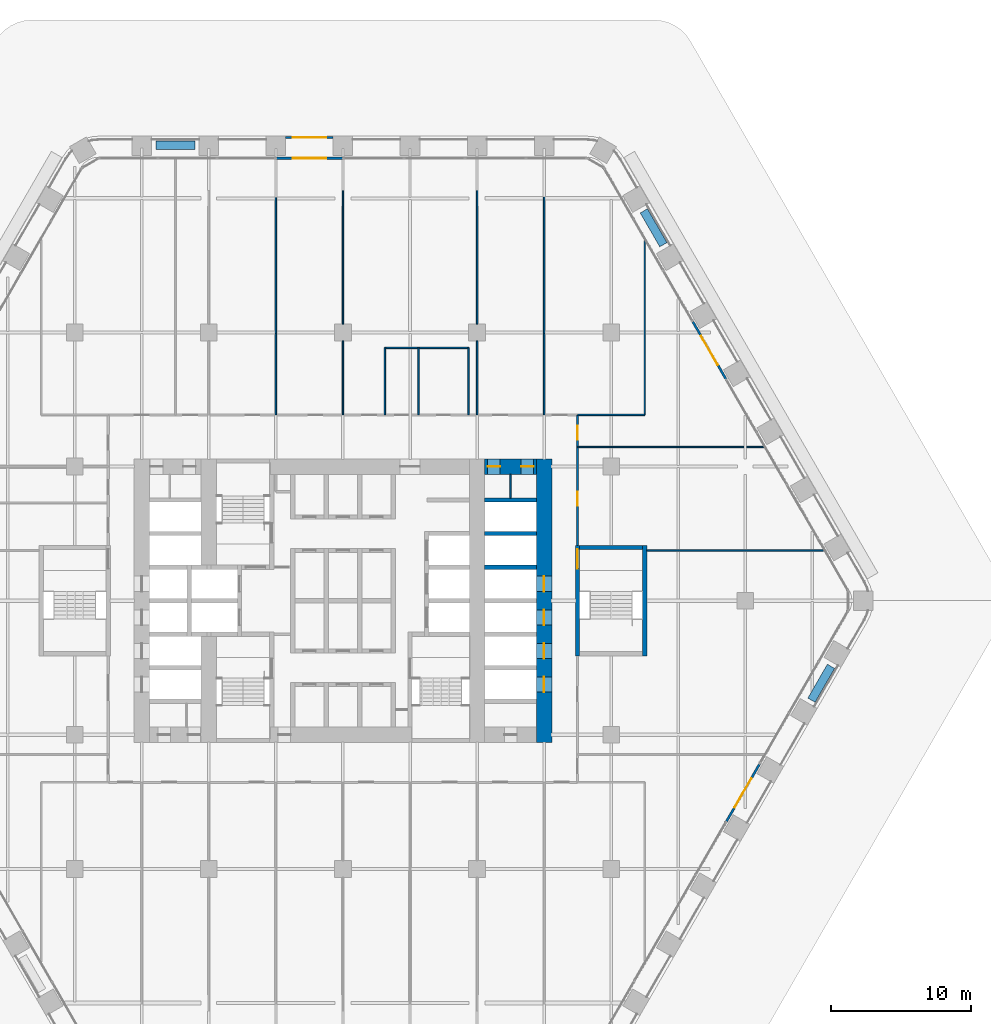
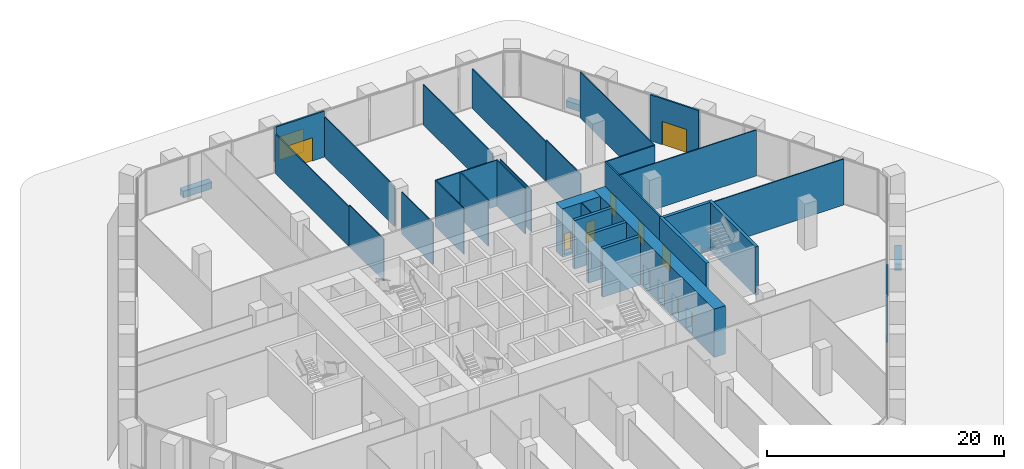
# One storey, part 23 of 29: 33 walls, 13 doors, 13 openings.
"""IFC4 building model written with IfcOpenShell, lengths in metres."""

from ifc_helpers import new_model, si_unit, direction, frame, frame_2d, origin, place, context, subcontext, project, spatial, rectangle, extrude, material, layer, layer_set, type_object, element, fill, save


model = new_model("IFC4")

# Units and contexts
model_context = context("Model", 3, precision=1e-05, world=origin(), true_north=direction((0.0, 1.0)))
body_context = subcontext(model_context, "Body", "Model", "MODEL_VIEW")
ifc_project = project(units=[si_unit("LENGTHUNIT", "METRE"), si_unit("AREAUNIT", "SQUARE_METRE"), si_unit("VOLUMEUNIT", "CUBIC_METRE"), si_unit("PLANEANGLEUNIT", "RADIAN"), si_unit("MASSUNIT", "GRAM", prefix="KILO")], contexts=[model_context])

# Site, building, storey
site_placement = place(None, origin())
site = spatial("IfcSite", under=ifc_project, at=site_placement, CompositionType="ELEMENT")
building_placement = place(site_placement, origin())
building = spatial("IfcBuilding", under=site, at=building_placement, Name="Kolab Exchange Tower", CompositionType="ELEMENT")
storey_placement = place(building_placement, frame((0.0, 0.0, 17.39990234375)))
storey = spatial("IfcBuildingStorey", under=building, at=storey_placement, Name="L03", CompositionType="ELEMENT", Elevation=17.39990234375)

# Wall, openings, doors
ifc_material_1 = material(Name="Concrete C80/95", Category="concrete")
ifc_layer_1 = layer(ifc_material_1, 1.10009765625)
ifc_layer_set_1 = layer_set([ifc_layer_1], Name="Concrete C80/95")
wall_type_1 = type_object("IfcWallType", Name="CORE WALL 1100 C80/95", PredefinedType="SHEAR", material=ifc_layer_set_1)
wall_1_placement = place(storey_placement, frame((10.14990234375, 9.60009765625, -0.25), z_axis=(0.0, 0.0, 1.0), x_axis=(1.0, 0.0, 0.0)))
wall_1 = element("IfcWall", 1, at=wall_1_placement, inside=storey, type_object=wall_type_1, Name="wall/L03/core/053", PredefinedType="SHEAR", context=body_context, shape_type="SweptSolid", body=[
    extrude(rectangle(XDim=3.7001953125, YDim=1.10009765625, at=frame_2d((1.85009765625, 0.0))), origin(), (0.0, 0.0, 1.0), 5.0),
])
opening_1_placement = place(wall_1_placement, frame((0.199951171875, 0.0, 0.25)))
opening_1 = element("IfcOpeningElement", 2, at=opening_1_placement, cuts=wall_1, Name="Opening D6-082", PredefinedType="OPENING", context=body_context, shape_type="SweptSolid", body=[
    extrude(rectangle(XDim=0.89990234375, YDim=2.10009765625, at=frame_2d((0.449951171875, 1.050048828125))), frame((0.0, 0.56005859375, 0.0), z_axis=(0.0, -1.0, 0.0), x_axis=(1.0, 0.0, 0.0)), (0.0, 0.0, 1.0), 1.1201171875),
])
opening_2_placement = place(wall_1_placement, frame((2.60009765625, 0.0, 0.25)))
opening_2 = element("IfcOpeningElement", 3, at=opening_2_placement, cuts=wall_1, Name="Opening D6-083", PredefinedType="OPENING", context=body_context, shape_type="SweptSolid", body=[
    extrude(rectangle(XDim=0.89990234375, YDim=2.10009765625, at=frame_2d((0.449951171875, 1.050048828125))), frame((0.0, 0.56005859375, 0.0), z_axis=(0.0, -1.0, 0.0), x_axis=(1.0, 0.0, 0.0)), (0.0, 0.0, 1.0), 1.1201171875),
])
ifc_material_2 = material(Name="Steel S235", Category="steel")
door_type_1 = type_object("IfcDoorType", Name="CORE DOOR 900 EI 120", OperationType="SINGLE_SWING_LEFT", PredefinedType="DOOR", material=ifc_material_2)
door_1_placement = place(opening_1_placement, frame((0.89990234375, 0.0, 0.0), z_axis=(0.0, 0.0, 1.0), x_axis=(-1.0, 0.0, 0.0)))
door_1 = element("IfcDoor", 4, at=door_1_placement, inside=storey, type_object=door_type_1, Name="Service room door", OperationType="SINGLE_SWING_RIGHT", OverallHeight=2.10009765625, OverallWidth=0.89990234375, PredefinedType="DOOR", context=body_context, shape_type="SweptSolid", body=[
    extrude(rectangle(XDim=0.89990234375, YDim=2.10009765625, at=frame_2d((0.449951171875, 1.050048828125))), frame((0.0, 0.02490234375, 0.0), z_axis=(0.0, -1.0, 0.0), x_axis=(1.0, 0.0, 0.0)), (0.0, 0.0, 1.0), 0.050048828125),
])
fill(opening_1, door_1)
door_2_placement = place(opening_2_placement, frame((0.89990234375, 0.0, 0.0), z_axis=(0.0, 0.0, 1.0), x_axis=(-1.0, 0.0, 0.0)))
door_2 = element("IfcDoor", 5, at=door_2_placement, inside=storey, type_object=door_type_1, Name="Service room door", OperationType="SINGLE_SWING_RIGHT", OverallHeight=2.10009765625, OverallWidth=0.89990234375, PredefinedType="DOOR", context=body_context, shape_type="SweptSolid", body=[
    extrude(rectangle(XDim=0.89990234375, YDim=2.10009765625, at=frame_2d((0.449951171875, 1.050048828125))), frame((0.0, 0.02490234375, 0.0), z_axis=(0.0, -1.0, 0.0), x_axis=(1.0, 0.0, 0.0)), (0.0, 0.0, 1.0), 0.050048828125),
])
fill(opening_2, door_2)

wall_2_placement = place(storey_placement, frame((14.39990234375, -10.14990234375, -0.25), z_axis=(0.0, 0.0, 1.0), x_axis=(0.0, 1.0, 0.0)))
wall_2 = element("IfcWall", 6, at=wall_2_placement, inside=storey, type_object=wall_type_1, Name="wall/L03/core/081", PredefinedType="SHEAR", context=body_context, shape_type="SweptSolid", body=[
    extrude(rectangle(XDim=20.2998046875, YDim=1.10009765625, at=frame_2d((10.14990234375, 0.0))), origin(), (0.0, 0.0, 1.0), 5.0),
])
opening_3_placement = place(wall_2_placement, frame((3.60009765625, 0.0, 0.25)))
opening_3 = element("IfcOpeningElement", 7, at=opening_3_placement, cuts=wall_2, Name="Opening LD1-029", PredefinedType="OPENING", context=body_context, shape_type="SweptSolid", body=[
    extrude(rectangle(XDim=1.10009765625, YDim=2.10009765625, at=frame_2d((0.550048828125, 1.050048828125))), frame((0.0, 0.56005859375, 0.0), z_axis=(0.0, -1.0, 0.0), x_axis=(1.0, 0.0, 0.0)), (0.0, 0.0, 1.0), 1.1201171875),
])
opening_4_placement = place(wall_2_placement, frame((6.0, 0.0, 0.25)))
opening_4 = element("IfcOpeningElement", 8, at=opening_4_placement, cuts=wall_2, Name="Opening LD1-030", PredefinedType="OPENING", context=body_context, shape_type="SweptSolid", body=[
    extrude(rectangle(XDim=1.10009765625, YDim=2.10009765625, at=frame_2d((0.550048828125, 1.050048828125))), frame((0.0, 0.56005859375, 0.0), z_axis=(0.0, -1.0, 0.0), x_axis=(1.0, 0.0, 0.0)), (0.0, 0.0, 1.0), 1.1201171875),
])
opening_5_placement = place(wall_2_placement, frame((8.39990234375, 0.0, 0.25)))
opening_5 = element("IfcOpeningElement", 9, at=opening_5_placement, cuts=wall_2, Name="Opening LD1-031", PredefinedType="OPENING", context=body_context, shape_type="SweptSolid", body=[
    extrude(rectangle(XDim=1.10009765625, YDim=2.10009765625, at=frame_2d((0.550048828125, 1.050048828125))), frame((0.0, 0.56005859375, 0.0), z_axis=(0.0, -1.0, 0.0), x_axis=(1.0, 0.0, 0.0)), (0.0, 0.0, 1.0), 1.1201171875),
])
opening_6_placement = place(wall_2_placement, frame((10.800048828125, 0.0, 0.25)))
opening_6 = element("IfcOpeningElement", 10, at=opening_6_placement, cuts=wall_2, Name="Opening LD1-032", PredefinedType="OPENING", context=body_context, shape_type="SweptSolid", body=[
    extrude(rectangle(XDim=1.10009765625, YDim=2.10009765625, at=frame_2d((0.550048828125, 1.050048828125))), frame((0.0, 0.56005859375, 0.0), z_axis=(0.0, -1.0, 0.0), x_axis=(1.0, 0.0, 0.0)), (0.0, 0.0, 1.0), 1.1201171875),
])
ifc_material_3 = material(Name="Stainless steel 316", Category="steel")
door_type_2 = type_object("IfcDoorType", Name="LANDING DOOR 1100 PASSENGER", OperationType="DOUBLE_DOOR_SLIDING", PredefinedType="DOOR", material=ifc_material_3)
door_3_placement = place(opening_3_placement, origin())
door_3 = element("IfcDoor", 11, at=door_3_placement, inside=storey, type_object=door_type_2, Name="Landing door LR1", OperationType="DOUBLE_DOOR_SLIDING", OverallHeight=2.10009765625, OverallWidth=1.10009765625, PredefinedType="DOOR", context=body_context, shape_type="SweptSolid", body=[
    extrude(rectangle(XDim=1.10009765625, YDim=2.10009765625, at=frame_2d((0.550048828125, 1.050048828125))), frame((0.0, 0.02490234375, 0.0), z_axis=(0.0, -1.0, 0.0), x_axis=(1.0, 0.0, 0.0)), (0.0, 0.0, 1.0), 0.050048828125),
])
fill(opening_3, door_3)
door_4_placement = place(opening_4_placement, origin())
door_4 = element("IfcDoor", 12, at=door_4_placement, inside=storey, type_object=door_type_2, Name="Landing door LR2", OperationType="DOUBLE_DOOR_SLIDING", OverallHeight=2.10009765625, OverallWidth=1.10009765625, PredefinedType="DOOR", context=body_context, shape_type="SweptSolid", body=[
    extrude(rectangle(XDim=1.10009765625, YDim=2.10009765625, at=frame_2d((0.550048828125, 1.050048828125))), frame((0.0, 0.02490234375, 0.0), z_axis=(0.0, -1.0, 0.0), x_axis=(1.0, 0.0, 0.0)), (0.0, 0.0, 1.0), 0.050048828125),
])
fill(opening_4, door_4)
door_5_placement = place(opening_5_placement, origin())
door_5 = element("IfcDoor", 13, at=door_5_placement, inside=storey, type_object=door_type_2, Name="Landing door LR3", OperationType="DOUBLE_DOOR_SLIDING", OverallHeight=2.10009765625, OverallWidth=1.10009765625, PredefinedType="DOOR", context=body_context, shape_type="SweptSolid", body=[
    extrude(rectangle(XDim=1.10009765625, YDim=2.10009765625, at=frame_2d((0.550048828125, 1.050048828125))), frame((0.0, 0.02490234375, 0.0), z_axis=(0.0, -1.0, 0.0), x_axis=(1.0, 0.0, 0.0)), (0.0, 0.0, 1.0), 0.050048828125),
])
fill(opening_5, door_5)
door_6_placement = place(opening_6_placement, origin())
door_6 = element("IfcDoor", 14, at=door_6_placement, inside=storey, type_object=door_type_2, Name="Landing door LR4", OperationType="DOUBLE_DOOR_SLIDING", OverallHeight=2.10009765625, OverallWidth=1.10009765625, PredefinedType="DOOR", context=body_context, shape_type="SweptSolid", body=[
    extrude(rectangle(XDim=1.10009765625, YDim=2.10009765625, at=frame_2d((0.550048828125, 1.050048828125))), frame((0.0, 0.02490234375, 0.0), z_axis=(0.0, -1.0, 0.0), x_axis=(1.0, 0.0, 0.0)), (0.0, 0.0, 1.0), 0.050048828125),
])
fill(opening_6, door_6)

# Wall, opening, door
ifc_material_4 = material(Name="Aluminium EN AW-6063 T6", Category="aluminium")
ifc_layer_2 = layer(ifc_material_4, 0.159912109375)
ifc_layer_set_2 = layer_set([ifc_layer_2], Name="Aluminium EN AW-6063 T6")
wall_type_2 = type_object("IfcWallType", Name="DOOR SURROUND WALL 160 ALUMINIUM FRAMED", PredefinedType="PARTITIONING", material=ifc_layer_set_2)
wall_3_placement = place(storey_placement, frame((-4.77001953125, 31.67529296875, 0.0), z_axis=(0.0, 0.0, 1.0), x_axis=(1.0, 0.0, 0.0)))
wall_3 = element("IfcWall", 15, at=wall_3_placement, inside=storey, type_object=wall_type_2, Name="Door surround wall", PredefinedType="PARTITIONING", context=body_context, shape_type="SweptSolid", body=[
    extrude(rectangle(XDim=4.739990234375, YDim=0.159912109375, at=frame_2d((2.3701171875, 0.0))), origin(), (0.0, 0.0, 1.0), 4.75),
])
opening_7_placement = place(wall_3_placement, frame((1.169921875, 0.0, 0.0)))
opening_7 = element("IfcOpeningElement", 16, at=opening_7_placement, cuts=wall_3, Name="Opening GD1-009", PredefinedType="OPENING", context=body_context, shape_type="SweptSolid", body=[
    extrude(rectangle(XDim=2.39990234375, YDim=2.39990234375, at=frame_2d((1.199951171875, 1.199951171875))), frame((0.0, 0.08984375, 0.0), z_axis=(0.0, -1.0, 0.0), x_axis=(1.0, 0.0, 0.0)), (0.0, 0.0, 1.0), 0.179931640625),
])
door_type_3 = type_object("IfcDoorType", Name="LOGGIA SLIDING GLASS DOOR 2400 X 2400", OperationType="DOUBLE_DOOR_SINGLE_SWING", PredefinedType="DOOR", material=ifc_material_4)
door_7_placement = place(opening_7_placement, origin())
door_7 = element("IfcDoor", 17, at=door_7_placement, inside=storey, type_object=door_type_3, Name="Loggia door", OperationType="DOUBLE_DOOR_SLIDING", OverallHeight=2.39990234375, OverallWidth=2.39990234375, PredefinedType="DOOR", context=body_context, shape_type="SweptSolid", body=[
    extrude(rectangle(XDim=2.39990234375, YDim=2.39990234375, at=frame_2d((1.199951171875, 1.199951171875))), frame((0.0, 0.02490234375, 0.0), z_axis=(0.0, -1.0, 0.0), x_axis=(1.0, 0.0, 0.0)), (0.0, 0.0, 1.0), 0.050048828125),
])
fill(opening_7, door_7)

wall_4_placement = place(storey_placement, frame((25.046630859375, 19.96875, 0.0), z_axis=(0.0, 0.0, 1.0), x_axis=(0.5000167099, -0.866015756104, 0.0)))
wall_4 = element("IfcWall", 18, at=wall_4_placement, inside=storey, type_object=wall_type_2, Name="Door surround wall", PredefinedType="PARTITIONING", context=body_context, shape_type="SweptSolid", body=[
    extrude(rectangle(XDim=4.739990234375, YDim=0.159912109375, at=frame_2d((2.3701171875, 0.0))), origin(), (0.0, 0.0, 1.0), 4.75),
])
opening_8_placement = place(wall_4_placement, frame((1.169921875, 0.0, 0.0)))
opening_8 = element("IfcOpeningElement", 19, at=opening_8_placement, cuts=wall_4, Name="Opening GD1-010", PredefinedType="OPENING", context=body_context, shape_type="SweptSolid", body=[
    extrude(rectangle(XDim=2.39990234375, YDim=2.39990234375, at=frame_2d((1.199951171875, 1.199951171875))), frame((0.0, 0.08984375, 0.0), z_axis=(0.0, -1.0, 0.0), x_axis=(1.0, 0.0, 0.0)), (0.0, 0.0, 1.0), 0.179931640625),
])
door_8_placement = place(opening_8_placement, origin())
door_8 = element("IfcDoor", 20, at=door_8_placement, inside=storey, type_object=door_type_3, Name="Loggia door", OperationType="DOUBLE_DOOR_SLIDING", OverallHeight=2.39990234375, OverallWidth=2.39990234375, PredefinedType="DOOR", context=body_context, shape_type="SweptSolid", body=[
    extrude(rectangle(XDim=2.39990234375, YDim=2.39990234375, at=frame_2d((1.199951171875, 1.199951171875))), frame((0.0, 0.02490234375, 0.0), z_axis=(0.0, -1.0, 0.0), x_axis=(1.0, 0.0, 0.0)), (0.0, 0.0, 1.0), 0.050048828125),
])
fill(opening_8, door_8)

wall_5_placement = place(storey_placement, frame((29.816650390625, -11.706787109375, 0.0), z_axis=(0.0, 0.0, 1.0), x_axis=(-0.499978080042, -0.866038058908, 0.0)))
wall_5 = element("IfcWall", 21, at=wall_5_placement, inside=storey, type_object=wall_type_2, Name="Door surround wall", PredefinedType="PARTITIONING", context=body_context, shape_type="SweptSolid", body=[
    extrude(rectangle(XDim=4.739990234375, YDim=0.159912109375, at=frame_2d((2.3701171875, 0.0))), origin(), (0.0, 0.0, 1.0), 4.75),
])
opening_9_placement = place(wall_5_placement, frame((1.169921875, 0.0, 0.0)))
opening_9 = element("IfcOpeningElement", 22, at=opening_9_placement, cuts=wall_5, Name="Opening GD1-011", PredefinedType="OPENING", context=body_context, shape_type="SweptSolid", body=[
    extrude(rectangle(XDim=2.39990234375, YDim=2.39990234375, at=frame_2d((1.199951171875, 1.199951171875))), frame((0.0, 0.08984375, 0.0), z_axis=(0.0, -1.0, 0.0), x_axis=(1.0, 0.0, 0.0)), (0.0, 0.0, 1.0), 0.179931640625),
])
door_9_placement = place(opening_9_placement, origin())
door_9 = element("IfcDoor", 23, at=door_9_placement, inside=storey, type_object=door_type_3, Name="Loggia door", OperationType="DOUBLE_DOOR_SLIDING", OverallHeight=2.39990234375, OverallWidth=2.39990234375, PredefinedType="DOOR", context=body_context, shape_type="SweptSolid", body=[
    extrude(rectangle(XDim=2.39990234375, YDim=2.39990234375, at=frame_2d((1.199951171875, 1.199951171875))), frame((0.0, 0.02490234375, 0.0), z_axis=(0.0, -1.0, 0.0), x_axis=(1.0, 0.0, 0.0)), (0.0, 0.0, 1.0), 0.050048828125),
])
fill(opening_9, door_9)

wall_6_placement = place(storey_placement, frame((-4.097900390625, 33.1552734375, 0.0), z_axis=(0.0, 0.0, 1.0), x_axis=(1.0, 0.0, 0.0)))
wall_6 = element("IfcWall", 24, at=wall_6_placement, inside=storey, type_object=wall_type_2, Name="Door surround wall", PredefinedType="PARTITIONING", context=body_context, shape_type="SweptSolid", body=[
    extrude(rectangle(XDim=3.39599609375, YDim=0.159912109375, at=frame_2d((1.697998046875, 0.0))), origin(), (0.0, 0.0, 1.0), 3.550048828125),
])
opening_10_placement = place(wall_6_placement, frame((0.498046875, 0.0, 0.0)))
opening_10 = element("IfcOpeningElement", 25, at=opening_10_placement, cuts=wall_6, Name="Opening GD1-015", PredefinedType="OPENING", context=body_context, shape_type="SweptSolid", body=[
    extrude(rectangle(XDim=2.39990234375, YDim=2.39990234375, at=frame_2d((1.199951171875, 1.199951171875))), frame((0.0, 0.08984375, 0.0), z_axis=(0.0, -1.0, 0.0), x_axis=(1.0, 0.0, 0.0)), (0.0, 0.0, 1.0), 0.179931640625),
])
door_10_placement = place(opening_10_placement, origin())
door_10 = element("IfcDoor", 26, at=door_10_placement, inside=storey, type_object=door_type_3, Name="Terrace door", OperationType="DOUBLE_DOOR_SLIDING", OverallHeight=2.39990234375, OverallWidth=2.39990234375, PredefinedType="DOOR", context=body_context, shape_type="SweptSolid", body=[
    extrude(rectangle(XDim=2.39990234375, YDim=2.39990234375, at=frame_2d((1.199951171875, 1.199951171875))), frame((0.0, 0.02490234375, 0.0), z_axis=(0.0, -1.0, 0.0), x_axis=(1.0, 0.0, 0.0)), (0.0, 0.0, 1.0), 0.050048828125),
])
fill(opening_10, door_10)

# Walls
ifc_material_5 = material(Name="Concrete C50/60", Category="concrete")
ifc_layer_3 = layer(ifc_material_5, 0.300048828125)
ifc_layer_set_3 = layer_set([ifc_layer_3], Name="Concrete C50/60")
wall_type_3 = type_object("IfcWallType", Name="LIFT SHAFT WALL 300 C50/60", PredefinedType="STANDARD", material=ifc_layer_set_3)
for number, where, z_axis, x_axis, name in (
    (27, (10.14990234375, 2.39990234375, -0.25), (0.0, 0.0, 1.0), (1.0, 0.0, 0.0), "wall/L03/core/036"),
    (28, (10.14990234375, 4.800048828125, -0.25), (0.0, 0.0, 1.0), (1.0, 0.0, 0.0), "wall/L03/core/044"),
    (29, (10.14990234375, 7.199951171875, -0.25), (0.0, 0.0, 1.0), (1.0, 0.0, 0.0), "wall/L03/core/050"),
):
    element("IfcWall", number, at=place(storey_placement, frame(where, z_axis=z_axis, x_axis=x_axis)), inside=storey, type_object=wall_type_3, Name=name, PredefinedType="STANDARD", context=body_context, shape_type="SweptSolid", body=[
        extrude(rectangle(XDim=3.7001953125, YDim=0.300048828125, at=frame_2d((1.85009765625, 0.0))), origin(), (0.0, 0.0, 1.0), 5.0),
    ])
ifc_material_6 = material(Name="Gypsum board", Category="gypsum")
ifc_layer_4 = layer(ifc_material_6, 0.10009765625)
ifc_layer_set_4 = layer_set([ifc_layer_4], Name="Gypsum board")
wall_type_4 = type_object("IfcWallType", Name="PARTITION 100", PredefinedType="PARTITIONING", material=ifc_layer_set_4)
wall_7_placement = place(storey_placement, frame((21.60009765625, 13.300048828125, 0.0), z_axis=(0.0, 0.0, 1.0), x_axis=(0.0, 1.0, 0.0)))
element("IfcWall", 30, at=wall_7_placement, inside=storey, type_object=wall_type_4, Name="Partition 001", PredefinedType="PARTITIONING", context=body_context, shape_type="SweptSolid", body=[
    extrude(rectangle(XDim=12.558349609375, YDim=0.10009765625, at=frame_2d((6.279296875, 0.0))), origin(), (0.0, 0.0, 1.0), 4.75),
])
wall_8_placement = place(storey_placement, frame((14.39990234375, 19.113037109375, 0.0), z_axis=(0.0, 0.0, 1.0), x_axis=(0.0, 1.0, 0.0)))
element("IfcWall", 31, at=wall_8_placement, inside=storey, type_object=wall_type_4, Name="Partition 005", PredefinedType="PARTITIONING", context=body_context, shape_type="SweptSolid", body=[
    extrude(rectangle(XDim=12.472412109375, YDim=0.10009765625, at=frame_2d((6.236328125, 0.0))), origin(), (0.0, 0.0, 1.0), 4.066162109375),
])
wall_9_placement = place(storey_placement, frame((14.39990234375, 13.300048828125, 0.0), z_axis=(0.0, 0.0, 1.0), x_axis=(0.0, 1.0, 0.0)))
element("IfcWall", 32, at=wall_9_placement, inside=storey, type_object=wall_type_4, Name="Partition 005", PredefinedType="PARTITIONING", context=body_context, shape_type="SweptSolid", body=[
    extrude(rectangle(XDim=5.81298828125, YDim=0.10009765625, at=frame_2d((2.906494140625, 0.0))), origin(), (0.0, 0.0, 1.0), 4.293212890625),
])
wall_10_placement = place(storey_placement, frame((12.0, 7.35009765625, 0.0), z_axis=(0.0, 0.0, 1.0), x_axis=(0.0, 1.0, 0.0)))
element("IfcWall", 33, at=wall_10_placement, inside=storey, type_object=wall_type_4, Name="Partition 006", PredefinedType="PARTITIONING", context=body_context, shape_type="SweptSolid", body=[
    extrude(rectangle(XDim=1.699951171875, YDim=0.10009765625, at=frame_2d((0.85009765625, 0.0))), origin(), (0.0, 0.0, 1.0), 4.75),
])
wall_11_placement = place(storey_placement, frame((9.60009765625, 13.300048828125, 0.0), z_axis=(0.0, 0.0, 1.0), x_axis=(0.0, 1.0, 0.0)))
element("IfcWall", 34, at=wall_11_placement, inside=storey, type_object=wall_type_4, Name="Partition 009", PredefinedType="PARTITIONING", context=body_context, shape_type="SweptSolid", body=[
    extrude(rectangle(XDim=5.300048828125, YDim=0.10009765625, at=frame_2d((2.64990234375, 0.0))), origin(), (0.0, 0.0, 1.0), 4.293212890625),
])
wall_12_placement = place(storey_placement, frame((9.60009765625, 19.800048828125, 0.0), z_axis=(0.0, 0.0, 1.0), x_axis=(0.0, 1.0, 0.0)))
element("IfcWall", 35, at=wall_12_placement, inside=storey, type_object=wall_type_4, Name="Partition 010", PredefinedType="PARTITIONING", context=body_context, shape_type="SweptSolid", body=[
    extrude(rectangle(XDim=11.785400390625, YDim=0.10009765625, at=frame_2d((5.892578125, 0.0))), origin(), (0.0, 0.0, 1.0), 4.14208984375),
])
for number, where, z_axis, x_axis, name in (
    (36, (9.0, 13.300048828125, 0.0), (0.0, 0.0, 1.0), (0.0, 1.0, 0.0), "Partition 011"),
    (37, (5.39990234375, 13.300048828125, 0.0), (0.0, 0.0, 1.0), (0.0, 1.0, 0.0), "Partition 012"),
    (38, (3.0, 13.300048828125, 0.0), (0.0, 0.0, 1.0), (0.0, 1.0, 0.0), "Partition 014"),
):
    element("IfcWall", number, at=place(storey_placement, frame(where, z_axis=z_axis, x_axis=x_axis)), inside=storey, type_object=wall_type_4, Name=name, PredefinedType="PARTITIONING", context=body_context, shape_type="SweptSolid", body=[
        extrude(rectangle(XDim=4.800048828125, YDim=0.10009765625, at=frame_2d((2.39990234375, 0.0))), origin(), (0.0, 0.0, 1.0), 4.75),
    ])
wall_13_placement = place(storey_placement, frame((0.0, 13.300048828125, 0.0), z_axis=(0.0, 0.0, 1.0), x_axis=(0.0, 1.0, 0.0)))
element("IfcWall", 39, at=wall_13_placement, inside=storey, type_object=wall_type_4, Name="Partition 017", PredefinedType="PARTITIONING", context=body_context, shape_type="SweptSolid", body=[
    extrude(rectangle(XDim=5.300048828125, YDim=0.10009765625, at=frame_2d((2.64990234375, 0.0))), origin(), (0.0, 0.0, 1.0), 4.293212890625),
])
wall_14_placement = place(storey_placement, frame((0.0, 19.800048828125, 0.0), z_axis=(0.0, 0.0, 1.0), x_axis=(0.0, 1.0, 0.0)))
element("IfcWall", 40, at=wall_14_placement, inside=storey, type_object=wall_type_4, Name="Partition 018", PredefinedType="PARTITIONING", context=body_context, shape_type="SweptSolid", body=[
    extrude(rectangle(XDim=11.79541015625, YDim=0.10009765625, at=frame_2d((5.897705078125, 0.0))), origin(), (0.0, 0.0, 1.0), 4.14208984375),
])
wall_15_placement = place(storey_placement, frame((-4.800048828125, 19.113037109375, 0.0), z_axis=(0.0, 0.0, 1.0), x_axis=(0.0, 1.0, 0.0)))
element("IfcWall", 41, at=wall_15_placement, inside=storey, type_object=wall_type_4, Name="Partition 020", PredefinedType="PARTITIONING", context=body_context, shape_type="SweptSolid", body=[
    extrude(rectangle(XDim=12.482421875, YDim=0.10009765625, at=frame_2d((6.2412109375, 0.0))), origin(), (0.0, 0.0, 1.0), 4.066162109375),
])
wall_16_placement = place(storey_placement, frame((-4.800048828125, 13.300048828125, 0.0), z_axis=(0.0, 0.0, 1.0), x_axis=(0.0, 1.0, 0.0)))
element("IfcWall", 42, at=wall_16_placement, inside=storey, type_object=wall_type_4, Name="Partition 020", PredefinedType="PARTITIONING", context=body_context, shape_type="SweptSolid", body=[
    extrude(rectangle(XDim=5.81298828125, YDim=0.10009765625, at=frame_2d((2.906494140625, 0.0))), origin(), (0.0, 0.0, 1.0), 4.293212890625),
])
wall_17_placement = place(storey_placement, frame((21.75, 3.60009765625, 0.0), z_axis=(0.0, 0.0, 1.0), x_axis=(1.0, 0.0, 0.0)))
element("IfcWall", 43, at=wall_17_placement, inside=storey, type_object=wall_type_4, Name="Partition 041", PredefinedType="PARTITIONING", context=body_context, shape_type="SweptSolid", body=[
    extrude(rectangle(XDim=12.700927734375, YDim=0.10009765625, at=frame_2d((6.3505859375, 0.0))), origin(), (0.0, 0.0, 1.0), 4.75),
])
wall_18_placement = place(storey_placement, frame((16.800048828125, 11.0, 0.0), z_axis=(0.0, 0.0, 1.0), x_axis=(1.0, 0.0, 0.0)))
element("IfcWall", 44, at=wall_18_placement, inside=storey, type_object=wall_type_4, Name="Partition 046", PredefinedType="PARTITIONING", context=body_context, shape_type="SweptSolid", body=[
    extrude(rectangle(XDim=13.37841796875, YDim=0.10009765625, at=frame_2d((6.689208984375, 0.0))), origin(), (0.0, 0.0, 1.0), 4.75),
])
wall_19_placement = place(storey_placement, frame((16.800048828125, 13.300048828125, 0.0), z_axis=(0.0, 0.0, 1.0), x_axis=(1.0, 0.0, 0.0)))
element("IfcWall", 45, at=wall_19_placement, inside=storey, type_object=wall_type_4, Name="Partition 048", PredefinedType="PARTITIONING", context=body_context, shape_type="SweptSolid", body=[
    extrude(rectangle(XDim=4.800048828125, YDim=0.10009765625, at=frame_2d((2.39990234375, 0.0))), origin(), (0.0, 0.0, 1.0), 4.75),
])
wall_20_placement = place(storey_placement, frame((3.0, 18.10009765625, 0.0), z_axis=(0.0, 0.0, 1.0), x_axis=(1.0, 0.0, 0.0)))
element("IfcWall", 46, at=wall_20_placement, inside=storey, type_object=wall_type_4, Name="Partition 050", PredefinedType="PARTITIONING", context=body_context, shape_type="SweptSolid", body=[
    extrude(rectangle(XDim=6.0, YDim=0.10009765625, at=frame_2d((3.0, 0.0))), origin(), (0.0, 0.0, 1.0), 4.75),
])

# Wall, openings, doors
ifc_layer_5 = layer(ifc_material_6, 0.14990234375)
ifc_layer_set_5 = layer_set([ifc_layer_5], Name="Gypsum board")
wall_type_5 = type_object("IfcWallType", Name="PARTITION 150 FIRE-RATED", PredefinedType="PARTITIONING", material=ifc_layer_set_5)
wall_21_placement = place(storey_placement, frame((16.800048828125, 3.949951171875, 0.0), z_axis=(0.0, 0.0, 1.0), x_axis=(0.0, 1.0, 0.0)))
wall_21 = element("IfcWall", 47, at=wall_21_placement, inside=storey, type_object=wall_type_5, Name="Partition 003", PredefinedType="PARTITIONING", context=body_context, shape_type="SweptSolid", body=[
    extrude(rectangle(XDim=9.35009765625, YDim=0.14990234375, at=frame_2d((4.675048828125, 0.0))), origin(), (0.0, 0.0, 1.0), 4.75),
])
opening_11_placement = place(wall_21_placement, frame((2.8349609375, 0.0, 0.0)))
opening_11 = element("IfcOpeningElement", 48, at=opening_11_placement, cuts=wall_21, Name="Opening D1-060", PredefinedType="OPENING", context=body_context, shape_type="SweptSolid", body=[
    extrude(rectangle(XDim=1.0, YDim=2.10009765625, at=frame_2d((0.5, 1.050048828125))), frame((0.0, 0.0849609375, 0.0), z_axis=(0.0, -1.0, 0.0), x_axis=(1.0, 0.0, 0.0)), (0.0, 0.0, 1.0), 0.169921875),
])
opening_12_placement = place(wall_21_placement, frame((7.56005859375, 0.0, 0.0)))
opening_12 = element("IfcOpeningElement", 49, at=opening_12_placement, cuts=wall_21, Name="Opening D1-061", PredefinedType="OPENING", context=body_context, shape_type="SweptSolid", body=[
    extrude(rectangle(XDim=1.0, YDim=2.10009765625, at=frame_2d((0.5, 1.050048828125))), frame((0.0, 0.0849609375, 0.0), z_axis=(0.0, -1.0, 0.0), x_axis=(1.0, 0.0, 0.0)), (0.0, 0.0, 1.0), 0.169921875),
])
door_type_4 = type_object("IfcDoorType", Name="FLUSH DOOR 1000 FD60", OperationType="SINGLE_SWING_LEFT", PredefinedType="DOOR", material=ifc_material_2)
door_11_placement = place(opening_11_placement, frame((1.0, 0.0, 0.0), z_axis=(0.0, 0.0, 1.0), x_axis=(-1.0, 0.0, 0.0)))
door_11 = element("IfcDoor", 50, at=door_11_placement, inside=storey, type_object=door_type_4, Name="Door L03-065", OperationType="SINGLE_SWING_LEFT", OverallHeight=2.10009765625, OverallWidth=1.0, PredefinedType="DOOR", context=body_context, shape_type="SweptSolid", body=[
    extrude(rectangle(XDim=1.0, YDim=2.10009765625, at=frame_2d((0.5, 1.050048828125))), frame((0.0, 0.02490234375, 0.0), z_axis=(0.0, -1.0, 0.0), x_axis=(1.0, 0.0, 0.0)), (0.0, 0.0, 1.0), 0.050048828125),
])
fill(opening_11, door_11)
door_12_placement = place(opening_12_placement, frame((1.0, 0.0, 0.0), z_axis=(0.0, 0.0, 1.0), x_axis=(-1.0, 0.0, 0.0)))
door_12 = element("IfcDoor", 51, at=door_12_placement, inside=storey, type_object=door_type_4, Name="Door L03-066", OperationType="SINGLE_SWING_LEFT", OverallHeight=2.10009765625, OverallWidth=1.0, PredefinedType="DOOR", context=body_context, shape_type="SweptSolid", body=[
    extrude(rectangle(XDim=1.0, YDim=2.10009765625, at=frame_2d((0.5, 1.050048828125))), frame((0.0, 0.02490234375, 0.0), z_axis=(0.0, -1.0, 0.0), x_axis=(1.0, 0.0, 0.0)), (0.0, 0.0, 1.0), 0.050048828125),
])
fill(opening_12, door_12)

# Walls
ifc_material_7 = material(Name="Granite facing", Category="masonry")
ifc_layer_6 = layer(ifc_material_7, 0.0400390625)
ifc_material_8 = material(Name="Concrete C40/50 precast", Category="concrete")
ifc_layer_7 = layer(ifc_material_8, 0.56005859375)
ifc_layer_set_6 = layer_set([ifc_layer_6, ifc_layer_7], Name="Concrete C40/50 precast")
wall_type_6 = type_object("IfcWallType", Name="PLANTER BOX 600 X 700 SOIL DEPTH 550", PredefinedType="USERDEFINED", material=ifc_layer_set_6)
for number, where, z_axis, x_axis, name in (
    (52, (-13.39990234375, 32.60546875, 0.0), (0.0, 0.0, 1.0), (1.0, 0.0, 0.0), "Planter"),
    (53, (21.537109375, 27.907470703125, 0.0), (0.0, 0.0, 1.0), (0.49998411664, -0.866034573852, 0.0), "Planter"),
    (54, (34.93701171875, -4.697998046875, 0.0), (0.0, 0.0, 1.0), (-0.49998411664, -0.866034573852, 0.0), "Planter"),
):
    element("IfcWall", number, at=place(storey_placement, frame(where, z_axis=z_axis, x_axis=x_axis)), inside=storey, type_object=wall_type_6, Name=name, ObjectType="PLANTER", PredefinedType="USERDEFINED", context=body_context, shape_type="SweptSolid", body=[
        extrude(rectangle(XDim=2.7998046875, YDim=0.60009765625, at=frame_2d((1.39990234375, 0.0))), origin(), (0.0, 0.0, 1.0), 0.7001953125),
    ])
ifc_layer_8 = layer(ifc_material_5, 0.300048828125)
ifc_layer_set_7 = layer_set([ifc_layer_8], Name="Concrete C50/60")
wall_type_7 = type_object("IfcWallType", Name="STAIR ENCLOSURE WALL 300 C50/60", PredefinedType="STANDARD", material=ifc_layer_set_7)
wall_22_placement = place(storey_placement, frame((16.949951171875, 3.800048828125, -0.25), z_axis=(0.0, 0.0, 1.0), x_axis=(1.0, 0.0, 0.0)))
element("IfcWall", 55, at=wall_22_placement, inside=storey, type_object=wall_type_7, Name="wall/L03/core/041", PredefinedType="STANDARD", context=body_context, shape_type="SweptSolid", body=[
    extrude(rectangle(XDim=4.5, YDim=0.300048828125, at=frame_2d((2.25, 0.0))), origin(), (0.0, 0.0, 1.0), 5.0),
])

# Wall, opening, door
wall_23_placement = place(storey_placement, frame((16.800048828125, -3.949951171875, -0.25), z_axis=(0.0, 0.0, 1.0), x_axis=(0.0, 1.0, 0.0)))
wall_23 = element("IfcWall", 56, at=wall_23_placement, inside=storey, type_object=wall_type_7, Name="wall/L03/core/082", PredefinedType="STANDARD", context=body_context, shape_type="SweptSolid", body=[
    extrude(rectangle(XDim=7.89990234375, YDim=0.300048828125, at=frame_2d((3.949951171875, 0.0))), origin(), (0.0, 0.0, 1.0), 5.0),
])
opening_13_placement = place(wall_23_placement, frame((6.25, 0.0, 0.25)))
opening_13 = element("IfcOpeningElement", 57, at=opening_13_placement, cuts=wall_23, Name="Opening D8-005", PredefinedType="OPENING", context=body_context, shape_type="SweptSolid", body=[
    extrude(rectangle(XDim=1.39990234375, YDim=2.10009765625, at=frame_2d((0.699951171875, 1.050048828125))), frame((0.0, 0.16015625, 0.0), z_axis=(0.0, -1.0, 0.0), x_axis=(1.0, 0.0, 0.0)), (0.0, 0.0, 1.0), 0.320068359375),
])
door_type_5 = type_object("IfcDoorType", Name="STAIR DOOR 1400 EI 120", OperationType="SINGLE_SWING_LEFT", PredefinedType="DOOR", material=ifc_material_2)
door_13_placement = place(opening_13_placement, frame((1.39990234375, 0.0, 0.0), z_axis=(0.0, 0.0, 1.0), x_axis=(-1.0, 0.0, 0.0)))
door_13 = element("IfcDoor", 58, at=door_13_placement, inside=storey, type_object=door_type_5, Name="Stair 4 door", OperationType="SINGLE_SWING_LEFT", OverallHeight=2.10009765625, OverallWidth=1.39990234375, PredefinedType="DOOR", context=body_context, shape_type="SweptSolid", body=[
    extrude(rectangle(XDim=1.39990234375, YDim=2.10009765625, at=frame_2d((0.699951171875, 1.050048828125))), frame((0.0, 0.02490234375, 0.0), z_axis=(0.0, -1.0, 0.0), x_axis=(1.0, 0.0, 0.0)), (0.0, 0.0, 1.0), 0.050048828125),
])
fill(opening_13, door_13)

# Wall
wall_24_placement = place(storey_placement, frame((21.60009765625, -3.949951171875, -0.25), z_axis=(0.0, 0.0, 1.0), x_axis=(0.0, 1.0, 0.0)))
element("IfcWall", 59, at=wall_24_placement, inside=storey, type_object=wall_type_7, Name="wall/L03/core/083", PredefinedType="STANDARD", context=body_context, shape_type="SweptSolid", body=[
    extrude(rectangle(XDim=7.89990234375, YDim=0.300048828125, at=frame_2d((3.949951171875, 0.0))), origin(), (0.0, 0.0, 1.0), 5.0),
])

save(model, "model.ifc")
